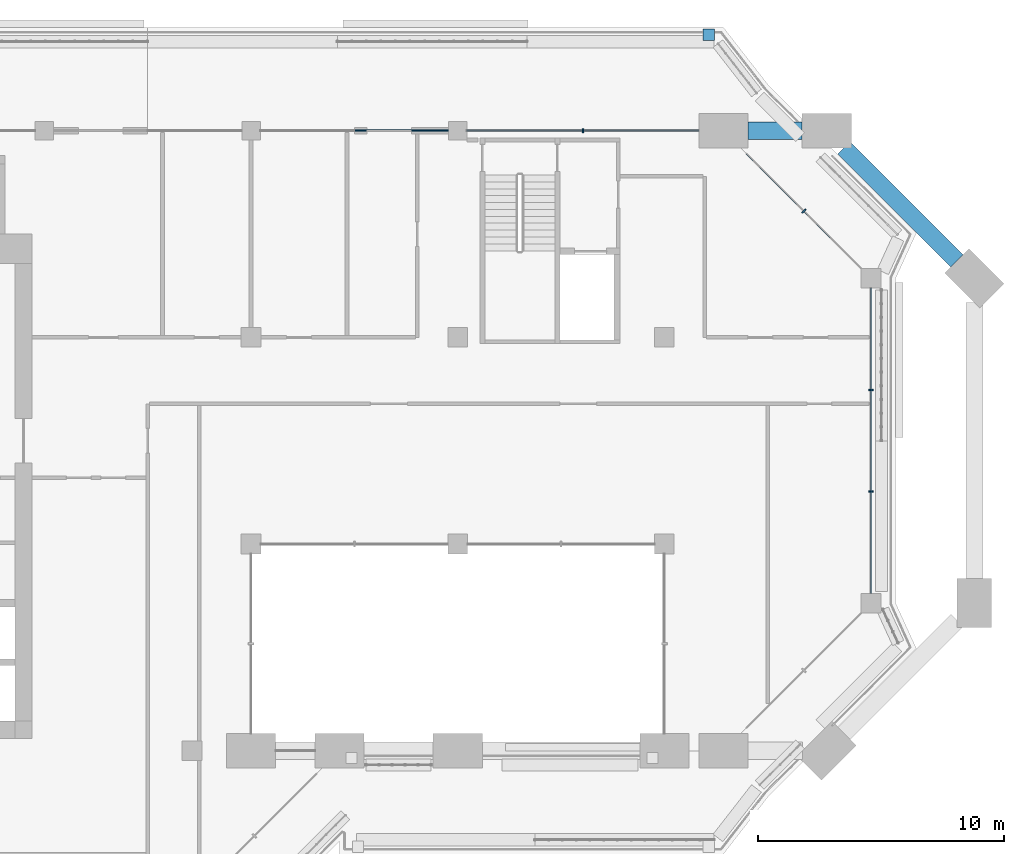
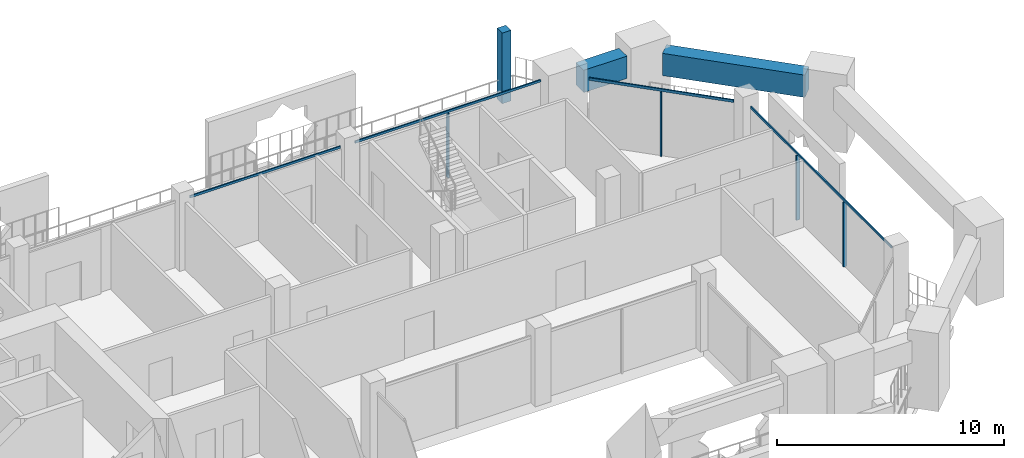
# One storey, part 8 of 23: 9 members, 2 beams, 4 elements without a shape of their own.
"""IFC4 building model written with IfcOpenShell, lengths in metres."""

from ifc_helpers import new_model, si_unit, direction, frame, origin, origin_2d, place, context, subcontext, project, spatial, rectangle, extrude, material, layer, layer_set, material_profile, profile_set, type_object, element, aggregate, save


model = new_model("IFC4")

# Units and contexts
model_context = context("Model", 3, precision=1e-05, world=origin(), true_north=direction((0.0, 1.0)))
body_context = subcontext(model_context, "Body", "Model", "MODEL_VIEW")
ifc_project = project(units=[si_unit("LENGTHUNIT", "METRE"), si_unit("AREAUNIT", "SQUARE_METRE"), si_unit("VOLUMEUNIT", "CUBIC_METRE"), si_unit("PLANEANGLEUNIT", "RADIAN"), si_unit("MASSUNIT", "GRAM", prefix="KILO")], contexts=[model_context])

# Site, building, storey
site_placement = place(None, origin())
site = spatial("IfcSite", under=ifc_project, at=site_placement, CompositionType="ELEMENT")
building_placement = place(site_placement, origin())
building = spatial("IfcBuilding", under=site, at=building_placement, Name="Kawkab Arch Medical Tower", CompositionType="ELEMENT")
storey_placement = place(building_placement, frame((0.0, 0.0, 281.800048828125)))
storey = spatial("IfcBuildingStorey", under=building, at=storey_placement, Name="L65", CompositionType="ELEMENT", Elevation=281.800048828125)

# Curtain wall, members
ifc_material_1 = material(Name="Bronze anodised aluminium curtain wall frame", Category="aluminium")
ifc_layer_1 = layer(ifc_material_1, 0.159912109375)
ifc_layer_set_1 = layer_set([ifc_layer_1], Name="Bronze anodised aluminium curtain wall frame")
curtain_wall_type_1 = type_object("IfcCurtainWallType", Name="CW1 ward curtain wall", PredefinedType="NOTDEFINED", material=ifc_layer_set_1)
placement = place(storey_placement, origin())
curtain_wall_1 = element("IfcCurtainWall", 1, at=placement, inside=storey, type_object=curtain_wall_type_1, Name="CW1 Ward curtain wall R08", PredefinedType="NOTDEFINED")
ifc_material_2 = material(Name="Bronze anodised aluminium curtain wall frame", Category="aluminium")
ifc_material_profile_1 = material_profile(ifc_material_2, rectangle(XDim=0.179931640625, YDim=0.06005859375, at=origin_2d()), Name="AL 60x180")
ifc_profile_set_1 = profile_set([ifc_material_profile_1], Name="Bronze anodised aluminium curtain wall frame")
member_type_1 = type_object("IfcMemberType", Name="CW1 mullion 60 x 180", PredefinedType="MULLION", material=ifc_profile_set_1)
member_1_placement = place(storey_placement, frame((58.800048828125, -14.666748046875, 0.0), z_axis=(0.0, 0.0, 1.0), x_axis=(-1.0, 0.0, 0.0)))
member_1 = element("IfcMember", 2, at=member_1_placement, type_object=member_type_1, Name="CW1 mullion 1.1", PredefinedType="MULLION", context=body_context, shape_type="SweptSolid", body=[
    extrude(rectangle(XDim=0.179931640625, YDim=0.06005859375, at=origin_2d()), origin(), (0.0, 0.0, 1.0), 3.47998046875),
])
member_2_placement = place(storey_placement, frame((58.800048828125, -10.533447265625, 0.0), z_axis=(0.0, 0.0, 1.0), x_axis=(-1.0, 0.0, 0.0)))
member_2 = element("IfcMember", 3, at=member_2_placement, type_object=member_type_1, Name="CW1 mullion 1.2", PredefinedType="MULLION", context=body_context, shape_type="SweptSolid", body=[
    extrude(rectangle(XDim=0.179931640625, YDim=0.06005859375, at=origin_2d()), origin(), (0.0, 0.0, 1.0), 3.47998046875),
])

# Curtain wall, member
curtain_wall_2 = element("IfcCurtainWall", 4, at=placement, inside=storey, type_object=curtain_wall_type_1, Name="CW1 Ward curtain wall R10", PredefinedType="NOTDEFINED")
member_3_placement = place(storey_placement, frame((47.08740234375, 0.0, 0.0), z_axis=(0.0, 0.0, 1.0), x_axis=(0.0, -1.0, 0.0)))
member_3 = element("IfcMember", 5, at=member_3_placement, type_object=member_type_1, Name="CW1 mullion 1.1", PredefinedType="MULLION", context=body_context, shape_type="SweptSolid", body=[
    extrude(rectangle(XDim=0.179931640625, YDim=0.06005859375, at=origin_2d()), origin(), (0.0, 0.0, 1.0), 3.47998046875),
])

# Member
ifc_material_3 = material(Name="Bronze anodised aluminium curtain wall frame", Category="aluminium")
ifc_material_profile_2 = material_profile(ifc_material_3, rectangle(XDim=0.06005859375, YDim=0.1201171875, at=origin_2d()), Name="AL 60x120")
ifc_profile_set_2 = profile_set([ifc_material_profile_2], Name="Bronze anodised aluminium curtain wall frame")
member_type_2 = type_object("IfcMemberType", Name="CW1 transom 120 x 60", PredefinedType="USERDEFINED", material=ifc_profile_set_2)
member_4_placement = place(storey_placement, frame((58.800048828125, -18.800048828125, 3.5400390625), z_axis=(0.0, 1.0, 0.0), x_axis=(-1.0, 0.0, 0.0)))
member_4 = element("IfcMember", 6, at=member_4_placement, type_object=member_type_2, Name="CW1 transom 1", ObjectType="TRANSOM", PredefinedType="USERDEFINED", context=body_context, shape_type="SweptSolid", body=[
    extrude(rectangle(XDim=0.06005859375, YDim=0.1201171875, at=origin_2d()), origin(), (0.0, 0.0, 1.0), 12.400146484375),
])

aggregate(curtain_wall_1, [member_4, member_1, member_2])

member_5_placement = place(storey_placement, frame((51.800048828125, 0.0, 3.5400390625), z_axis=(-1.0, 0.0, 0.0), x_axis=(0.0, -1.0, 0.0)))
member_5 = element("IfcMember", 7, at=member_5_placement, type_object=member_type_2, Name="CW1 transom 1", ObjectType="TRANSOM", PredefinedType="USERDEFINED", context=body_context, shape_type="SweptSolid", body=[
    extrude(rectangle(XDim=0.06005859375, YDim=0.1201171875, at=origin_2d()), origin(), (0.0, 0.0, 1.0), 9.425048828125),
])

member_6_placement = place(storey_placement, frame((41.625, 0.0, 3.5400390625), z_axis=(-1.0, 0.0, 0.0), x_axis=(0.0, -1.0, 0.0)))
member_6 = element("IfcMember", 8, at=member_6_placement, type_object=member_type_2, Name="CW1 transom 2", ObjectType="TRANSOM", PredefinedType="USERDEFINED", context=body_context, shape_type="SweptSolid", body=[
    extrude(rectangle(XDim=0.06005859375, YDim=0.1201171875, at=origin_2d()), origin(), (0.0, 0.0, 1.0), 7.64990234375),
])

aggregate(curtain_wall_2, [member_5, member_3, member_6])

# Curtain wall, members
ifc_material_4 = material(Name="Bronze anodised aluminium curtain wall frame", Category="aluminium")
ifc_layer_2 = layer(ifc_material_4, 0.159912109375)
ifc_layer_set_2 = layer_set([ifc_layer_2], Name="Bronze anodised aluminium curtain wall frame")
curtain_wall_type_2 = type_object("IfcCurtainWallType", Name="CW2 chamfer curtain wall", PredefinedType="NOTDEFINED", material=ifc_layer_set_2)
curtain_wall_3 = element("IfcCurtainWall", 9, at=placement, inside=storey, type_object=curtain_wall_type_2, Name="CW2 Chamfer curtain wall R09", PredefinedType="NOTDEFINED")
ifc_material_5 = material(Name="Bronze anodised aluminium curtain wall frame", Category="aluminium")
ifc_material_profile_3 = material_profile(ifc_material_5, rectangle(XDim=0.199951171875, YDim=0.06005859375, at=origin_2d()), Name="AL 60x200")
ifc_profile_set_3 = profile_set([ifc_material_profile_3], Name="Bronze anodised aluminium curtain wall frame")
member_type_3 = type_object("IfcMemberType", Name="CW2 mullion 60 x 200", PredefinedType="MULLION", material=ifc_profile_set_3)
member_7_placement = place(storey_placement, frame((56.065185546875, -3.26513671875, 0.0), z_axis=(0.0, 0.0, 1.0), x_axis=(-0.707106781187, -0.707106781187, 0.0)))
member_7 = element("IfcMember", 10, at=member_7_placement, type_object=member_type_3, Name="CW2 mullion 1.1", PredefinedType="MULLION", context=body_context, shape_type="SweptSolid", body=[
    extrude(rectangle(XDim=0.199951171875, YDim=0.06005859375, at=origin_2d()), origin(), (0.0, 0.0, 1.0), 3.4599609375),
])
ifc_material_6 = material(Name="Bronze anodised aluminium curtain wall frame", Category="aluminium")
ifc_material_profile_4 = material_profile(ifc_material_6, rectangle(XDim=0.06005859375, YDim=0.139892578125, at=origin_2d()), Name="AL 60x140")
ifc_profile_set_4 = profile_set([ifc_material_profile_4], Name="Bronze anodised aluminium curtain wall frame")
member_type_4 = type_object("IfcMemberType", Name="CW2 transom 140 x 60", PredefinedType="USERDEFINED", material=ifc_profile_set_4)
member_8_placement = place(storey_placement, frame((58.39990234375, -5.60009765625, 3.530029296875), z_axis=(-0.707106781187, 0.707106781187, 0.0), x_axis=(-0.707106781187, -0.707106781187, 0.0)))
member_8 = element("IfcMember", 11, at=member_8_placement, type_object=member_type_4, Name="CW2 transom 1", ObjectType="TRANSOM", PredefinedType="USERDEFINED", context=body_context, shape_type="SweptSolid", body=[
    extrude(rectangle(XDim=0.06005859375, YDim=0.139892578125, at=origin_2d()), origin(), (0.0, 0.0, 1.0), 6.60400390625),
])
aggregate(curtain_wall_3, [member_8, member_7])

# Curtain wall, member
ifc_material_7 = material(Name="Bronze anodised aluminium climber frame, planted", Category="aluminium")
ifc_layer_3 = layer(ifc_material_7, 0.449951171875)
ifc_layer_set_3 = layer_set([ifc_layer_3], Name="Bronze anodised aluminium climber frame, planted")
curtain_wall_type_3 = type_object("IfcCurtainWallType", Name="Planted climber frame", PredefinedType="NOTDEFINED", material=ifc_layer_set_3)
curtain_wall_4 = element("IfcCurtainWall", 12, at=placement, inside=storey, type_object=curtain_wall_type_3, Name="Planted climber frame L65", PredefinedType="NOTDEFINED")
ifc_material_8 = material(Name="Bronze anodised aluminium climber frame, planted", Category="aluminium")
ifc_material_profile_5 = material_profile(ifc_material_8, rectangle(XDim=0.449951171875, YDim=0.449951171875, at=origin_2d()), Name="Post 450x450")
ifc_profile_set_5 = profile_set([ifc_material_profile_5], Name="Bronze anodised aluminium climber frame, planted")
member_type_5 = type_object("IfcMemberType", Name="Planted climber post 450 x 450", PredefinedType="MULLION", material=ifc_profile_set_5)
member_9_placement = place(storey_placement, frame((52.202880859375, 3.89990234375, 0.0), z_axis=(0.0, 0.0, 1.0), x_axis=(1.0, 0.0, 0.0)))
member_9 = element("IfcMember", 13, at=member_9_placement, type_object=member_type_5, Name="Planted climber post L65.LOG-01-02.2", PredefinedType="MULLION", context=body_context, shape_type="SweptSolid", body=[
    extrude(rectangle(XDim=0.449951171875, YDim=0.449951171875, at=origin_2d()), origin(), (0.0, 0.0, 1.0), 3.800048828125),
])
aggregate(curtain_wall_4, [member_9])

# Beams
ifc_material_9 = material(Name="Concrete C40/50", Category="concrete")
ifc_material_profile_6 = material_profile(ifc_material_9, rectangle(XDim=0.699951171875, YDim=1.199951171875, at=origin_2d()), Name="RC 700x1200")
ifc_profile_set_6 = profile_set([ifc_material_profile_6], Name="Concrete C40/50")
beam_type = type_object("IfcBeamType", Name="RC 700x1200 beam C40/50", PredefinedType="BEAM", material=ifc_profile_set_6)
beam_1_placement = place(storey_placement, frame((53.800048828125, 0.0, 3.0), z_axis=(1.0, 0.0, 0.0), x_axis=(0.0, 1.0, 0.0)))
element("IfcBeam", 14, at=beam_1_placement, inside=storey, type_object=beam_type, Name="Terrace frame beam TF-L64-2-L66-01", PredefinedType="BEAM", context=body_context, shape_type="SweptSolid", body=[
    extrude(rectangle(XDim=0.699951171875, YDim=1.199951171875, at=origin_2d()), origin(), (0.0, 0.0, 1.0), 2.199951171875),
])
beam_2_placement = place(storey_placement, frame((57.699951171875, -0.699951171875, 3.0), z_axis=(0.707106781187, -0.707106781187, 0.0), x_axis=(0.707106781187, 0.707106781187, 0.0)))
element("IfcBeam", 15, at=beam_2_placement, inside=storey, type_object=beam_type, Name="Terrace frame beam TF-L64-2-L66-02", PredefinedType="BEAM", context=body_context, shape_type="SweptSolid", body=[
    extrude(rectangle(XDim=0.699951171875, YDim=1.199951171875, at=origin_2d()), origin(), (0.0, 0.0, 1.0), 6.49560546875),
])

save(model, "model.ifc")
